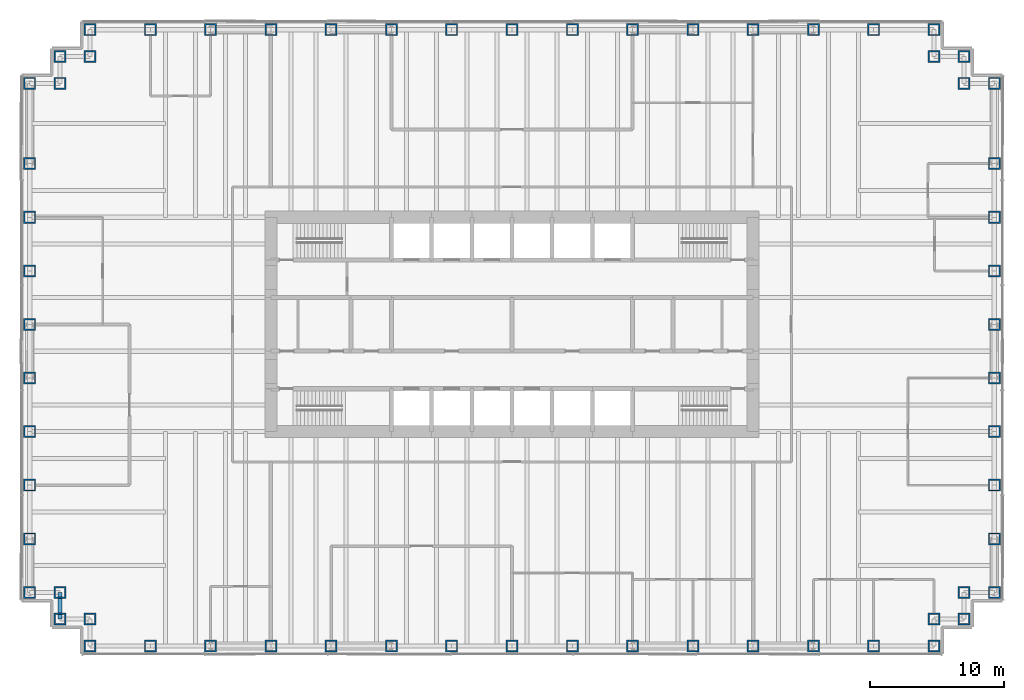
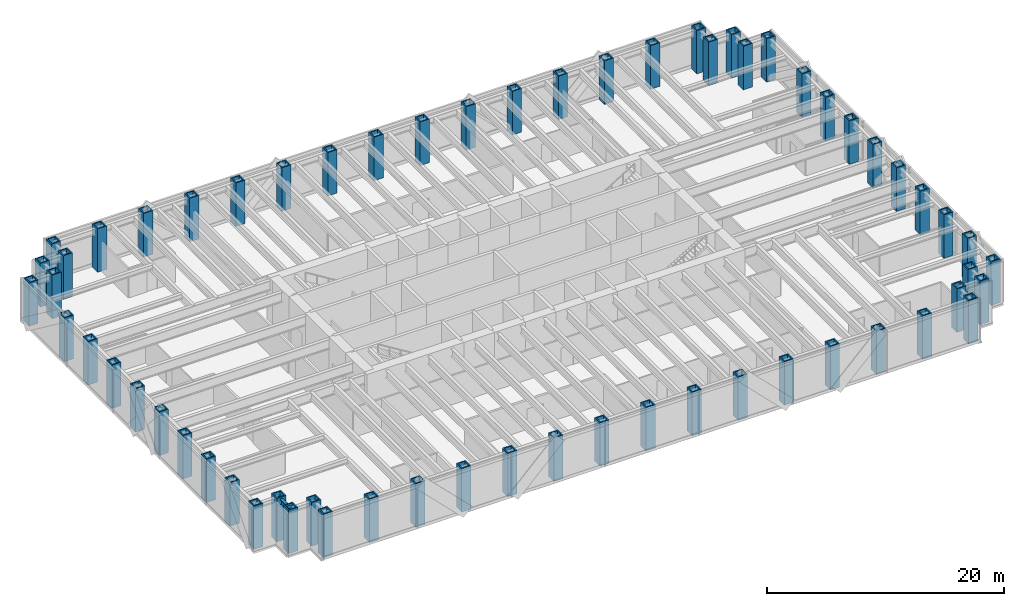
# One storey, part 1 of 13: 62 columns, 1 beam.
"""IFC4 building model written with IfcOpenShell, lengths in metres."""

from ifc_helpers import new_model, si_unit, direction, frame, origin, origin_2d, place, context, subcontext, project, spatial, hollow_rectangle, i_section, extrude, material, material_profile, profile_set, type_object, element, save


model = new_model("IFC4")

# Units and contexts
model_context = context("Model", 3, precision=1e-05, world=origin(), true_north=direction((0.0, 1.0)))
body_context = subcontext(model_context, "Body", "Model", "MODEL_VIEW")
ifc_project = project(units=[si_unit("LENGTHUNIT", "METRE"), si_unit("AREAUNIT", "SQUARE_METRE"), si_unit("VOLUMEUNIT", "CUBIC_METRE"), si_unit("PLANEANGLEUNIT", "RADIAN"), si_unit("MASSUNIT", "GRAM", prefix="KILO")], contexts=[model_context])

# Site, building, storey
site_placement = place(None, origin())
site = spatial("IfcSite", under=ifc_project, at=site_placement, CompositionType="ELEMENT")
building_placement = place(site_placement, origin())
building = spatial("IfcBuilding", under=site, at=building_placement, Name="Rheinbord Bourse Tower", CompositionType="ELEMENT")
storey_placement = place(building_placement, frame((0.0, 0.0, 81.5)))
storey = spatial("IfcBuildingStorey", under=building, at=storey_placement, Name="L17", CompositionType="ELEMENT", Elevation=81.5)

# Columns
ifc_material_1 = material(Name="Steel S460M", Category="steel")
ifc_material_profile_1 = material_profile(ifc_material_1, hollow_rectangle(XDim=0.89990234375, YDim=0.89990234375, WallThickness=0.110107421875, at=origin_2d()), Name="BOX 900x900x110")
ifc_profile_set_1 = profile_set([ifc_material_profile_1], Name="Steel S460M")
column_type = type_object("IfcColumnType", Name="TUBE COLUMN BOX 900x900x110", PredefinedType="COLUMN", material=ifc_profile_set_1)
for number, where, z_axis, x_axis, name in (
    (1, (4.5, 0.0, 0.0), (0.0, 0.0, 1.0), (0.0, 1.0, 0.0), "Column SW-E L17"),
    (2, (9.0, 0.0, 0.0), (0.0, 0.0, 1.0), (0.0, 1.0, 0.0), "Column S-9 L17"),
    (3, (13.5, 0.0, 0.0), (0.0, 0.0, 1.0), (0.0, 1.0, 0.0), "Column S-13.5 L17"),
    (4, (18.0, 0.0, 0.0), (0.0, 0.0, 1.0), (0.0, 1.0, 0.0), "Column S-18 L17"),
    (5, (22.5, 0.0, 0.0), (0.0, 0.0, 1.0), (0.0, 1.0, 0.0), "Column S-22.5 L17"),
    (6, (27.0, 0.0, 0.0), (0.0, 0.0, 1.0), (0.0, 1.0, 0.0), "Column S-27 L17"),
    (7, (31.5, 0.0, 0.0), (0.0, 0.0, 1.0), (0.0, 1.0, 0.0), "Column S-31.5 L17"),
    (8, (36.0, 0.0, 0.0), (0.0, 0.0, 1.0), (0.0, 1.0, 0.0), "Column S-36 L17"),
    (9, (40.5, 0.0, 0.0), (0.0, 0.0, 1.0), (0.0, 1.0, 0.0), "Column S-40.5 L17"),
    (10, (45.0, 0.0, 0.0), (0.0, 0.0, 1.0), (0.0, 1.0, 0.0), "Column S-45 L17"),
    (11, (49.5, 0.0, 0.0), (0.0, 0.0, 1.0), (0.0, 1.0, 0.0), "Column S-49.5 L17"),
    (12, (54.0, 0.0, 0.0), (0.0, 0.0, 1.0), (0.0, 1.0, 0.0), "Column S-54 L17"),
    (13, (58.5, 0.0, 0.0), (0.0, 0.0, 1.0), (0.0, 1.0, 0.0), "Column S-58.5 L17"),
    (14, (63.0, 0.0, 0.0), (0.0, 0.0, 1.0), (0.0, 1.0, 0.0), "Column S-63 L17"),
    (15, (67.5, 0.0, 0.0), (0.0, 0.0, 1.0), (0.0, 1.0, 0.0), "Column SE-E L17"),
    (16, (67.5, 2.0, 0.0), (0.0, 0.0, 1.0), (0.0, 1.0, 0.0), "Column SE-D L17"),
    (17, (69.75, 2.0, 0.0), (0.0, 0.0, 1.0), (1.0, 0.0, 0.0), "Column SE-C L17"),
    (18, (69.75, 4.0, 0.0), (0.0, 0.0, 1.0), (1.0, 0.0, 0.0), "Column SE-B L17"),
    (19, (72.0, 4.0, 0.0), (0.0, 0.0, 1.0), (1.0, 0.0, 0.0), "Column SE-A L17"),
    (20, (72.0, 8.0, 0.0), (0.0, 0.0, 1.0), (1.0, 0.0, 0.0), "Column E-8 L17"),
    (21, (72.0, 12.0, 0.0), (0.0, 0.0, 1.0), (1.0, 0.0, 0.0), "Column E-12 L17"),
    (22, (72.0, 16.0, 0.0), (0.0, 0.0, 1.0), (1.0, 0.0, 0.0), "Column E-16 L17"),
    (23, (72.0, 20.0, 0.0), (0.0, 0.0, 1.0), (1.0, 0.0, 0.0), "Column E-20 L17"),
    (24, (72.0, 24.0, 0.0), (0.0, 0.0, 1.0), (1.0, 0.0, 0.0), "Column E-24 L17"),
    (25, (72.0, 28.0, 0.0), (0.0, 0.0, 1.0), (1.0, 0.0, 0.0), "Column E-28 L17"),
    (26, (72.0, 32.0, 0.0), (0.0, 0.0, 1.0), (1.0, 0.0, 0.0), "Column E-32 L17"),
    (27, (72.0, 36.0, 0.0), (0.0, 0.0, 1.0), (1.0, 0.0, 0.0), "Column E-36 L17"),
    (28, (72.0, 42.0, 0.0), (0.0, 0.0, 1.0), (1.0, 0.0, 0.0), "Column NE-A L17"),
    (29, (69.75, 42.0, 0.0), (0.0, 0.0, 1.0), (1.0, 0.0, 0.0), "Column NE-B L17"),
    (30, (69.75, 44.0, 0.0), (0.0, 0.0, 1.0), (1.0, 0.0, 0.0), "Column NE-C L17"),
    (31, (67.5, 44.0, 0.0), (0.0, 0.0, 1.0), (0.0, 1.0, 0.0), "Column NE-D L17"),
    (32, (67.5, 46.0, 0.0), (0.0, 0.0, 1.0), (0.0, 1.0, 0.0), "Column NE-E L17"),
    (33, (63.0, 46.0, 0.0), (0.0, 0.0, 1.0), (0.0, 1.0, 0.0), "Column N-63 L17"),
    (34, (58.5, 46.0, 0.0), (0.0, 0.0, 1.0), (0.0, 1.0, 0.0), "Column N-58.5 L17"),
    (35, (54.0, 46.0, 0.0), (0.0, 0.0, 1.0), (0.0, 1.0, 0.0), "Column N-54 L17"),
    (36, (49.5, 46.0, 0.0), (0.0, 0.0, 1.0), (0.0, 1.0, 0.0), "Column N-49.5 L17"),
    (37, (45.0, 46.0, 0.0), (0.0, 0.0, 1.0), (0.0, 1.0, 0.0), "Column N-45 L17"),
    (38, (40.5, 46.0, 0.0), (0.0, 0.0, 1.0), (0.0, 1.0, 0.0), "Column N-40.5 L17"),
    (39, (36.0, 46.0, 0.0), (0.0, 0.0, 1.0), (0.0, 1.0, 0.0), "Column N-36 L17"),
    (40, (31.5, 46.0, 0.0), (0.0, 0.0, 1.0), (0.0, 1.0, 0.0), "Column N-31.5 L17"),
    (41, (27.0, 46.0, 0.0), (0.0, 0.0, 1.0), (0.0, 1.0, 0.0), "Column N-27 L17"),
    (42, (22.5, 46.0, 0.0), (0.0, 0.0, 1.0), (0.0, 1.0, 0.0), "Column N-22.5 L17"),
    (43, (18.0, 46.0, 0.0), (0.0, 0.0, 1.0), (0.0, 1.0, 0.0), "Column N-18 L17"),
    (44, (13.5, 46.0, 0.0), (0.0, 0.0, 1.0), (0.0, 1.0, 0.0), "Column N-13.5 L17"),
    (45, (9.0, 46.0, 0.0), (0.0, 0.0, 1.0), (0.0, 1.0, 0.0), "Column N-9 L17"),
    (46, (4.5, 46.0, 0.0), (0.0, 0.0, 1.0), (0.0, 1.0, 0.0), "Column NW-E L17"),
    (47, (4.5, 44.0, 0.0), (0.0, 0.0, 1.0), (0.0, 1.0, 0.0), "Column NW-D L17"),
    (48, (2.25, 44.0, 0.0), (0.0, 0.0, 1.0), (1.0, 0.0, 0.0), "Column NW-C L17"),
    (49, (2.25, 42.0, 0.0), (0.0, 0.0, 1.0), (1.0, 0.0, 0.0), "Column NW-B L17"),
    (50, (0.0, 42.0, 0.0), (0.0, 0.0, 1.0), (1.0, 0.0, 0.0), "Column NW-A L17"),
    (51, (0.0, 36.0, 0.0), (0.0, 0.0, 1.0), (1.0, 0.0, 0.0), "Column W-36 L17"),
    (52, (0.0, 32.0, 0.0), (0.0, 0.0, 1.0), (1.0, 0.0, 0.0), "Column W-32 L17"),
    (53, (0.0, 28.0, 0.0), (0.0, 0.0, 1.0), (1.0, 0.0, 0.0), "Column W-28 L17"),
    (54, (0.0, 24.0, 0.0), (0.0, 0.0, 1.0), (1.0, 0.0, 0.0), "Column W-24 L17"),
    (55, (0.0, 20.0, 0.0), (0.0, 0.0, 1.0), (1.0, 0.0, 0.0), "Column W-20 L17"),
    (56, (0.0, 16.0, 0.0), (0.0, 0.0, 1.0), (1.0, 0.0, 0.0), "Column W-16 L17"),
    (57, (0.0, 12.0, 0.0), (0.0, 0.0, 1.0), (1.0, 0.0, 0.0), "Column W-12 L17"),
    (58, (0.0, 8.0, 0.0), (0.0, 0.0, 1.0), (1.0, 0.0, 0.0), "Column W-8 L17"),
    (59, (0.0, 4.0, 0.0), (0.0, 0.0, 1.0), (1.0, 0.0, 0.0), "Column SW-A L17"),
    (60, (2.25, 4.0, 0.0), (0.0, 0.0, 1.0), (1.0, 0.0, 0.0), "Column SW-B L17"),
    (61, (2.25, 2.0, 0.0), (0.0, 0.0, 1.0), (1.0, 0.0, 0.0), "Column SW-C L17"),
    (62, (4.5, 2.0, 0.0), (0.0, 0.0, 1.0), (0.0, 1.0, 0.0), "Column SW-D L17"),
):
    element("IfcColumn", number, at=place(storey_placement, frame(where, z_axis=z_axis, x_axis=x_axis)), inside=storey, type_object=column_type, Name=name, PredefinedType="COLUMN", context=body_context, shape_type="SweptSolid", body=[
        extrude(hollow_rectangle(XDim=0.89990234375, YDim=0.89990234375, WallThickness=0.110107421875, at=origin_2d()), origin(), (0.0, 0.0, 1.0), 4.5),
    ])

# Beam
ifc_material_2 = material(Name="Steel S460", Category="steel")
ifc_material_profile_2 = material_profile(ifc_material_2, i_section(OverallWidth=0.304931640625, OverallDepth=0.6201171875, WebThickness=0.02099609375, FlangeThickness=0.0400390625, at=origin_2d()), Name="HEM 600")
ifc_profile_set_2 = profile_set([ifc_material_profile_2], Name="Steel S460")
beam_type = type_object("IfcBeamType", Name="SPANDREL HEM 600", PredefinedType="SPANDREL", material=ifc_profile_set_2)
beam_placement = place(storey_placement, frame((2.25, 4.0, 4.010009765625), z_axis=(0.0, -1.0, 0.0), x_axis=(1.0, 0.0, 0.0)))
element("IfcBeam", 63, at=beam_placement, inside=storey, type_object=beam_type, Name="Spandrel SW-B-SW-C under L18", PredefinedType="SPANDREL", context=body_context, shape_type="SweptSolid", body=[
    extrude(i_section(OverallWidth=0.304931640625, OverallDepth=0.6201171875, WebThickness=0.02099609375, FlangeThickness=0.0400390625, at=origin_2d()), origin(), (0.0, 0.0, 1.0), 2.0),
])

save(model, "model.ifc")
